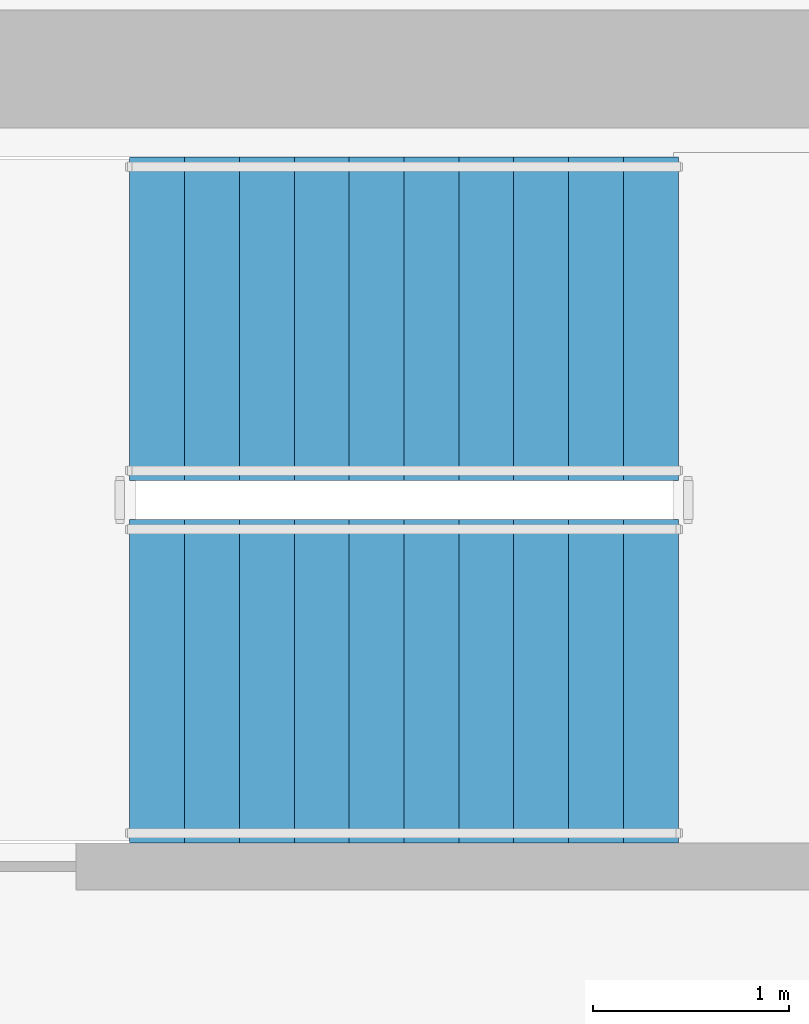
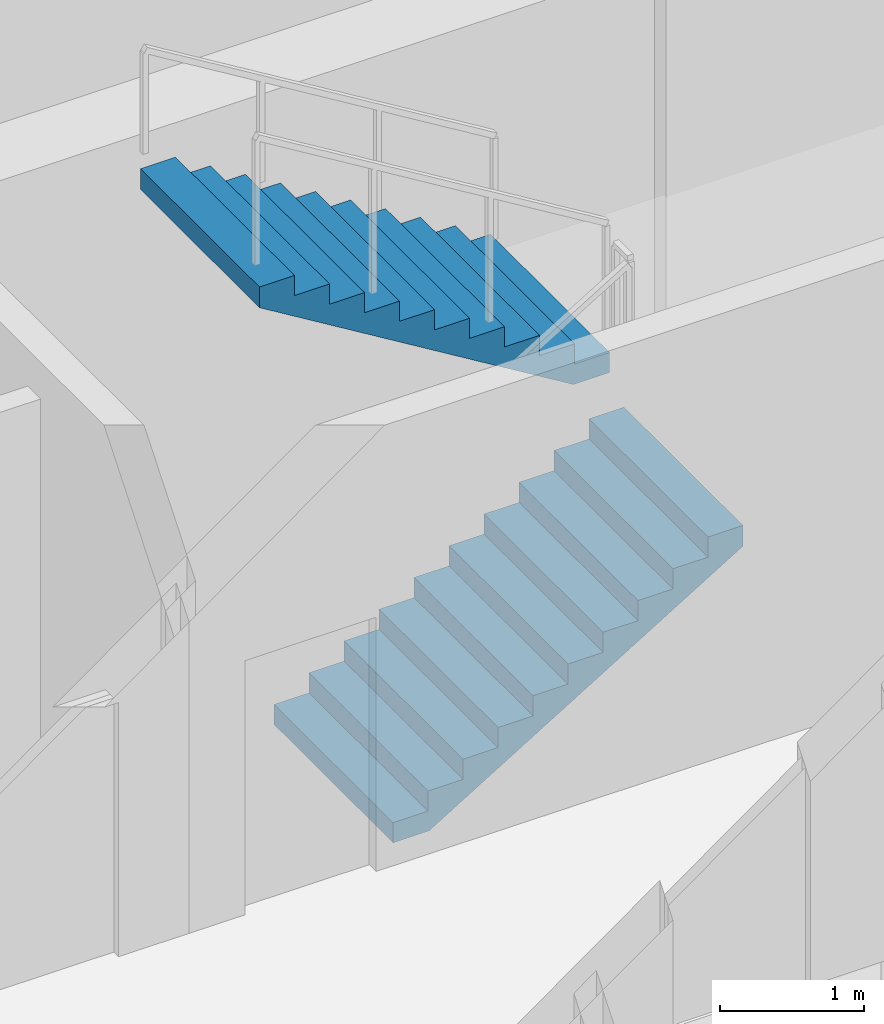
# One storey, part 28 of 33: 2 stair flights, 1 element without a shape of its own.
"""IFC4 building model written with IfcOpenShell, lengths in metres."""

import ifcopenshell
import ifcopenshell.guid

model = None  # the IFC model being written
_history = None  # IfcOwnerHistory: only IFC2X3 demands one
_inside = {}  # id of a spatial element -> (the spatial element, [elements in it])
_under = {}  # id of a project, library or spatial element -> (it, [spatial elements below it])
_declared = {}  # id of a project -> (the project, [libraries it declares])
_typed = {}  # id of a type object -> (the type object, [elements of that type])
_made_of = {}  # id of a material, layer set ... -> (it, [elements and type objects made of it])


def new_model(schema):
    """Start an empty IFC model of exactly this schema.

    Asked for "IFC4X3", IfcOpenShell would pick the latest addendum, in which some entities
    have other attributes; the version numbers below select the first issue.
    IFC2X3 requires an IfcOwnerHistory on every rooted entity: one is made here for all.
    """
    global model, _history
    if schema == "IFC4X3":
        model = ifcopenshell.file(schema_version=(4, 3, 0, 0))
    else:
        model = ifcopenshell.file(schema=schema)
    _inside.clear()
    _under.clear()
    _declared.clear()
    _typed.clear()
    _made_of.clear()
    _history = None
    if model.schema == "IFC2X3":
        org = make("IfcOrganization", Name="unknown")
        user = make(
            "IfcPersonAndOrganization",
            ThePerson=make("IfcPerson", FamilyName="unknown"),
            TheOrganization=org,
        )
        app = make(
            "IfcApplication",
            ApplicationDeveloper=org,
            Version="unknown",
            ApplicationFullName="unknown",
            ApplicationIdentifier="unknown",
        )
        _history = make(
            "IfcOwnerHistory",
            OwningUser=user,
            OwningApplication=app,
            ChangeAction="ADDED",
            CreationDate=0,
        )
    return model


def make(cls, **values):
    """One entity of the class cls with the attributes given. An attribute that is None is left unset."""
    return model.create_entity(
        cls, **{name: value for name, value in values.items() if value is not None}
    )


def rooted(cls, **values):
    """An entity with a GlobalId (a new one), such as an element, a storey or a relation."""
    return make(cls, GlobalId=ifcopenshell.guid.new(), OwnerHistory=_history, **values)


def si_unit(unit_type, name, prefix=None):
    """IfcSIUnit, for example si_unit("LENGTHUNIT", "METRE", prefix="MILLI")."""
    return make("IfcSIUnit", UnitType=unit_type, Prefix=prefix, Name=name)


def assignment(units):
    """IfcUnitAssignment: the units of a project."""
    return None if units is None else make("IfcUnitAssignment", Units=units)


def point(xyz):
    """IfcCartesianPoint."""
    return None if xyz is None else make("IfcCartesianPoint", Coordinates=xyz)


def direction(xyz):
    """IfcDirection."""
    return None if xyz is None else make("IfcDirection", DirectionRatios=xyz)


def frame(location, z_axis=None, x_axis=None):
    """IfcAxis2Placement3D, a coordinate frame: its origin and axes. An axis left out is left unset."""
    return make(
        "IfcAxis2Placement3D",
        Location=point(location),
        Axis=direction(z_axis),
        RefDirection=direction(x_axis),
    )


def origin():
    """The frame at (0, 0, 0) with its axes left unset."""
    return frame((0.0, 0.0, 0.0))


def place(relative_to, where):
    """IfcLocalPlacement: puts the frame where relative to a parent placement (None: the world)."""
    return make(
        "IfcLocalPlacement", PlacementRelTo=relative_to, RelativePlacement=where
    )


def context(
    kind, dimensions, precision=None, world=None, true_north=None, identifier=None
):
    """IfcGeometricRepresentationContext, for example the 3D "Model" context."""
    return make(
        "IfcGeometricRepresentationContext",
        ContextIdentifier=identifier,
        ContextType=kind,
        CoordinateSpaceDimension=dimensions,
        Precision=precision,
        WorldCoordinateSystem=world,
        TrueNorth=true_north,
    )


def subcontext(parent, identifier, kind, view, scale=None):
    """IfcGeometricRepresentationSubContext, for example "Body" below "Model"."""
    return make(
        "IfcGeometricRepresentationSubContext",
        ContextIdentifier=identifier,
        ContextType=kind,
        ParentContext=parent,
        TargetScale=scale,
        TargetView=view,
    )


def project(units=None, contexts=None):
    """IfcProject with its units and contexts."""
    return rooted(
        "IfcProject",
        Name="project",
        RepresentationContexts=contexts,
        UnitsInContext=assignment(units),
    )


def spatial(cls, under=None, at=None, **own):
    """A site, building, storey or space (cls), placed at a placement, below another one or the project."""
    s = rooted(cls, ObjectPlacement=at, **own)
    if under is not None:
        _under.setdefault(under.id(), (under, []))[1].append(s)
    return s


def polyline(points):
    """IfcPolyline through the points."""
    return make("IfcPolyline", Points=[point(p) for p in points])


def outline(outer, holes=None, kind="AREA"):
    """IfcArbitraryClosedProfileDef: a profile drawn as a closed curve; with holes, ...WithVoids."""
    if holes is None:
        return make("IfcArbitraryClosedProfileDef", ProfileType=kind, OuterCurve=outer)
    return make(
        "IfcArbitraryProfileDefWithVoids",
        ProfileType=kind,
        OuterCurve=outer,
        InnerCurves=holes,
    )


def extrude(swept, where, along, depth):
    """IfcExtrudedAreaSolid: the profile swept, set in the frame where, extruded along a direction by depth."""
    return make(
        "IfcExtrudedAreaSolid",
        SweptArea=swept,
        Position=where,
        ExtrudedDirection=direction(along),
        Depth=depth,
    )


def shape(context_of_items, identifier, shape_type, items):
    """IfcShapeRepresentation: the items that make up one representation, for example the "Body"."""
    return make(
        "IfcShapeRepresentation",
        ContextOfItems=context_of_items,
        RepresentationIdentifier=identifier,
        RepresentationType=shape_type,
        Items=items,
    )


def material(Name=None, Category=None):
    """IfcMaterial."""
    return make("IfcMaterial", Name=Name, Category=Category)


def made_of(thing, what):
    """Note that an element or type object is made of a material, layer set ...; save() writes the relation."""
    if what is not None:
        _made_of.setdefault(what.id(), (what, []))[1].append(thing)
    return thing


def type_object(cls, material=None, **own):
    """A type object (cls), such as IfcWallType, which elements share."""
    return made_of(rooted(cls, **own), material)


def element(
    cls,
    number,
    at=None,
    inside=None,
    cuts=None,
    type_object=None,
    material=None,
    context=None,
    identifier="Body",
    shape_type=None,
    held_by="IfcProductDefinitionShape",
    body=None,
    shapes=None,
    **own,
):
    """One element of the class cls, such as IfcWall. Its Tag is "e" and its number.

    at: its placement. inside: the storey or other place that contains it. cuts: it is an
    opening in that element (IfcRelVoidsElement). A single representation is given by context,
    identifier, shape_type and body (its items); several are given by shapes. held_by: the class
    of the entity that holds the representations. save() writes the other relations.
    """
    e = rooted(cls, Tag="e%d" % number, ObjectPlacement=at, **own)
    if body is not None:
        shapes = [shape(context, identifier, shape_type, body)]
    if shapes is not None:
        e.Representation = make(held_by, Representations=shapes)
    if inside is not None:
        _inside.setdefault(inside.id(), (inside, []))[1].append(e)
    if cuts is not None:
        rooted(
            "IfcRelVoidsElement", RelatingBuildingElement=cuts, RelatedOpeningElement=e
        )
    if type_object is not None:
        _typed.setdefault(type_object.id(), (type_object, []))[1].append(e)
    return made_of(e, material)


def aggregate(whole, parts):
    """IfcRelAggregates: a whole, such as a stair, and the parts it consists of."""
    return rooted("IfcRelAggregates", RelatingObject=whole, RelatedObjects=parts)


def save(model, path):
    """Write the relations noted so far, then the file.

    IfcRelAggregates (storeys below a building ...), IfcRelContainedInSpatialStructure (elements
    in a storey), IfcRelDefinesByType, IfcRelAssociatesMaterial and IfcRelDeclares: one each for
    every whole, place, type object, material and project.
    """
    for whole, parts in _under.values():
        aggregate(whole, parts)
    for where, things in _inside.values():
        rooted(
            "IfcRelContainedInSpatialStructure",
            RelatedElements=things,
            RelatingStructure=where,
        )
    for kind, things in _typed.values():
        rooted("IfcRelDefinesByType", RelatedObjects=things, RelatingType=kind)
    for what, things in _made_of.values():
        rooted("IfcRelAssociatesMaterial", RelatedObjects=things, RelatingMaterial=what)
    for by, libraries in _declared.values():
        rooted("IfcRelDeclares", RelatingContext=by, RelatedDefinitions=libraries)
    model.write(path)


model = new_model("IFC4")

# Units and contexts
model_context = context("Model", 3, precision=1e-05, world=origin(), true_north=direction((0.0, 1.0)))
body_context = subcontext(model_context, "Body", "Model", "MODEL_VIEW")
ifc_project = project(units=[si_unit("LENGTHUNIT", "METRE"), si_unit("AREAUNIT", "SQUARE_METRE"), si_unit("VOLUMEUNIT", "CUBIC_METRE"), si_unit("PLANEANGLEUNIT", "RADIAN"), si_unit("MASSUNIT", "GRAM", prefix="KILO")], contexts=[model_context])

# Site, building, storey
site_placement = place(None, origin())
site = spatial("IfcSite", under=ifc_project, at=site_placement, CompositionType="ELEMENT")
building_placement = place(site_placement, origin())
building = spatial("IfcBuilding", under=site, at=building_placement, Name="Haldenkirk Collegiate Tower", CompositionType="ELEMENT")
storey_placement = place(building_placement, frame((0.0, 0.0, 66.449951171875)))
storey = spatial("IfcBuildingStorey", under=building, at=storey_placement, Name="L15", CompositionType="ELEMENT", Elevation=66.449951171875)

# Stair, stair flights
ifc_material = material(Name="Concrete f'c 40 MPa", Category="concrete")
stair_type = type_object("IfcStairType", Name="STR-DOGLEG-1650", PredefinedType="HALF_TURN_STAIR", material=ifc_material)
stair_placement = place(storey_placement, origin())
stair = element("IfcStair", 1, at=stair_placement, inside=storey, type_object=stair_type, Name="L15 Core Exit Stair ST-3", PredefinedType="HALF_TURN_STAIR")
stair_flight_type = type_object("IfcStairFlightType", Name="STF-FLIGHT-1650", PredefinedType="STRAIGHT", material=ifc_material)
stair_flight_1_placement = place(storey_placement, frame((33.64990234375, 30.875, 0.0), z_axis=(0.0, 0.0, 1.0), x_axis=(1.0, 0.0, 0.0)))
stair_flight_1 = element("IfcStairFlight", 2, at=stair_flight_1_placement, type_object=stair_flight_type, Name="ST-3 flight 1", NumberOfRisers=11, NumberOfTreads=10, PredefinedType="STRAIGHT", RiserHeight=0.170454545, TreadLength=0.28, context=body_context, shape_type="SweptSolid", body=[
    extrude(outline(polyline([(0.0, 0.0), (0.0, 0.17041015625), (0.280029296875, 0.17041015625), (0.280029296875, 0.3408203125), (0.56005859375, 0.3408203125), (0.56005859375, 0.511474609375), (0.840087890625, 0.511474609375), (0.840087890625, 0.681884765625), (1.1201171875, 0.681884765625), (1.1201171875, 0.852294921875), (1.39990234375, 0.852294921875), (1.39990234375, 1.022705078125), (1.679931640625, 1.022705078125), (1.679931640625, 1.193115234375), (1.9599609375, 1.193115234375), (1.9599609375, 1.363525390625), (2.239990234375, 1.363525390625), (2.239990234375, 1.5341796875), (2.52001953125, 1.5341796875), (2.52001953125, 1.70458984375), (2.800048828125, 1.70458984375), (2.800048828125, 1.875), (2.800048828125, 1.529052734375), (0.288330078125, 0.0), (0.0, 0.0)])), frame((0.0, 0.824951171875, 0.0), z_axis=(0.0, -1.0, 0.0), x_axis=(1.0, 0.0, 0.0)), (0.0, 0.0, 1.0), 1.64990234375),
])
stair_flight_2_placement = place(storey_placement, frame((36.449951171875, 32.72509765625, 1.875), z_axis=(0.0, 0.0, 1.0), x_axis=(-1.0, 0.0, 0.0)))
stair_flight_2 = element("IfcStairFlight", 3, at=stair_flight_2_placement, type_object=stair_flight_type, Name="ST-3 flight 2", NumberOfRisers=11, NumberOfTreads=10, PredefinedType="STRAIGHT", RiserHeight=0.170454545, TreadLength=0.28, context=body_context, shape_type="SweptSolid", body=[
    extrude(outline(polyline([(0.0, 0.0), (0.0, 0.17041015625), (0.280029296875, 0.17041015625), (0.280029296875, 0.3408203125), (0.56005859375, 0.3408203125), (0.56005859375, 0.511474609375), (0.840087890625, 0.511474609375), (0.840087890625, 0.681884765625), (1.1201171875, 0.681884765625), (1.1201171875, 0.852294921875), (1.39990234375, 0.852294921875), (1.39990234375, 1.022705078125), (1.679931640625, 1.022705078125), (1.679931640625, 1.193115234375), (1.9599609375, 1.193115234375), (1.9599609375, 1.363525390625), (2.239990234375, 1.363525390625), (2.239990234375, 1.5341796875), (2.52001953125, 1.5341796875), (2.52001953125, 1.70458984375), (2.800048828125, 1.70458984375), (2.800048828125, 1.875), (2.800048828125, 1.529052734375), (0.288330078125, 0.0), (0.0, 0.0)])), frame((0.0, 0.824951171875, 0.0), z_axis=(0.0, -1.0, 0.0), x_axis=(1.0, 0.0, 0.0)), (0.0, 0.0, 1.0), 1.64990234375),
])
aggregate(stair, [stair_flight_1, stair_flight_2])

save(model, "model.ifc")
